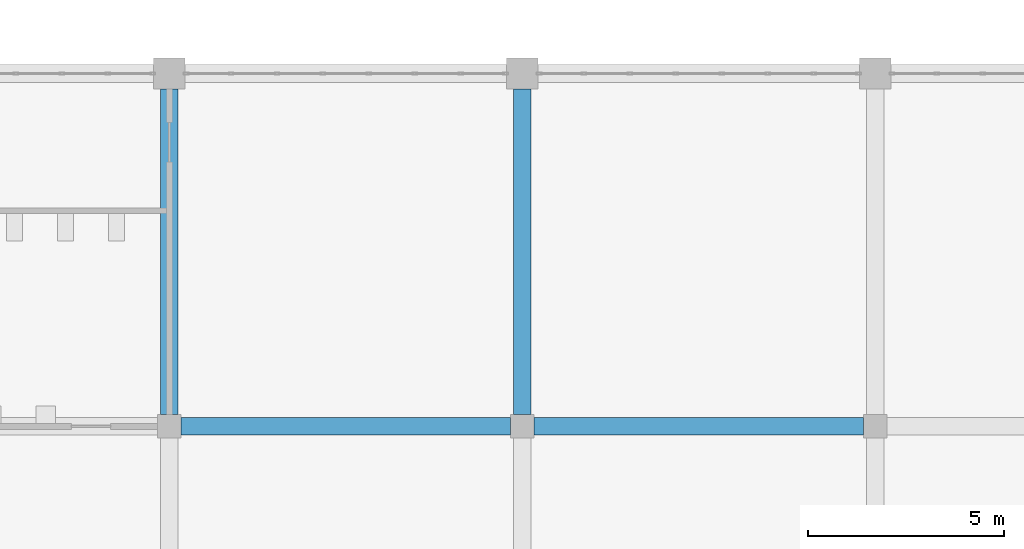
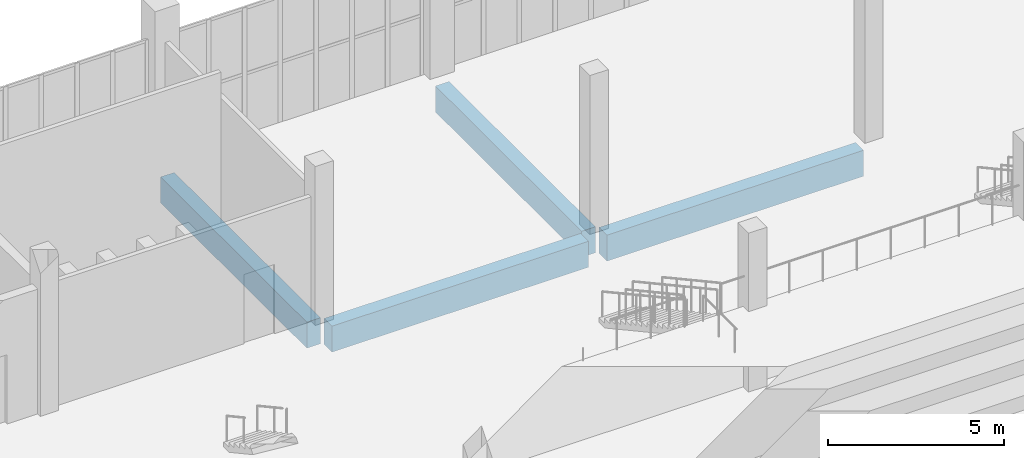
# One storey, part 32 of 185: 4 beams.
"""IFC4 building model written with IfcOpenShell, lengths in metres."""

from ifc_helpers import new_model, si_unit, direction, frame, origin, origin_2d, place, context, subcontext, project, spatial, rectangle, extrude, material, material_profile, profile_set, type_object, element, save


model = new_model("IFC4")

# Units and contexts
model_context = context("Model", 3, precision=1e-05, world=origin(), true_north=direction((0.0, 1.0)))
body_context = subcontext(model_context, "Body", "Model", "MODEL_VIEW")
ifc_project = project(units=[si_unit("LENGTHUNIT", "METRE"), si_unit("AREAUNIT", "SQUARE_METRE"), si_unit("VOLUMEUNIT", "CUBIC_METRE"), si_unit("PLANEANGLEUNIT", "RADIAN"), si_unit("MASSUNIT", "GRAM", prefix="KILO")], contexts=[model_context])

# Site, building, storey
site_placement = place(None, origin())
site = spatial("IfcSite", under=ifc_project, at=site_placement, CompositionType="ELEMENT")
building_placement = place(site_placement, origin())
building = spatial("IfcBuilding", under=site, at=building_placement, Name="Opaline Strait Convention Centre", CompositionType="ELEMENT")
storey_placement = place(building_placement, frame((0.0, 0.0, 6.0)))
storey = spatial("IfcBuildingStorey", under=building, at=storey_placement, Name="L01", CompositionType="ELEMENT", Elevation=6.0)

# Beams
ifc_material = material(Name="Concrete C35", Category="concrete")
ifc_material_profile = material_profile(ifc_material, rectangle(XDim=0.449951171875, YDim=0.89990234375, at=origin_2d()), Name="RC 450x900")
ifc_profile_set = profile_set([ifc_material_profile], Name="Concrete C35")
beam_type = type_object("IfcBeamType", Name="RC floor beam 450x900 C35", PredefinedType="BEAM", material=ifc_profile_set)
for number, where, z_axis, x_axis, name in (
    (1, (27.300048828125, 171.0, -0.72998046875), (1.0, 0.0, 0.0), (0.0, 1.0, 0.0), "PFB1 L01 beam 4/V-5/V"),
    (2, (36.300048828125, 171.0, -0.72998046875), (1.0, 0.0, 0.0), (0.0, 1.0, 0.0), "PFB1 L01 beam 5/V-6/V"),
):
    element("IfcBeam", number, at=place(storey_placement, frame(where, z_axis=z_axis, x_axis=x_axis)), inside=storey, type_object=beam_type, Name=name, PredefinedType="BEAM", context=body_context, shape_type="SweptSolid", body=[
        extrude(rectangle(XDim=0.449951171875, YDim=0.89990234375, at=origin_2d()), origin(), (0.0, 0.0, 1.0), 8.39990234375),
    ])
for number, where, z_axis, x_axis, name in (
    (3, (27.0, 171.300048828125, -0.72998046875), (0.0, 1.0, 0.0), (-1.0, 0.0, 0.0), "PFB1 L01 beam 4/V-4/W"),
    (4, (36.0, 171.300048828125, -0.72998046875), (0.0, 1.0, 0.0), (-1.0, 0.0, 0.0), "PFB1 L01 beam 5/V-5/W"),
):
    element("IfcBeam", number, at=place(storey_placement, frame(where, z_axis=z_axis, x_axis=x_axis)), inside=storey, type_object=beam_type, Name=name, PredefinedType="BEAM", context=body_context, shape_type="SweptSolid", body=[
        extrude(rectangle(XDim=0.449951171875, YDim=0.89990234375, at=origin_2d()), origin(), (0.0, 0.0, 1.0), 8.300048828125),
    ])

save(model, "model.ifc")
